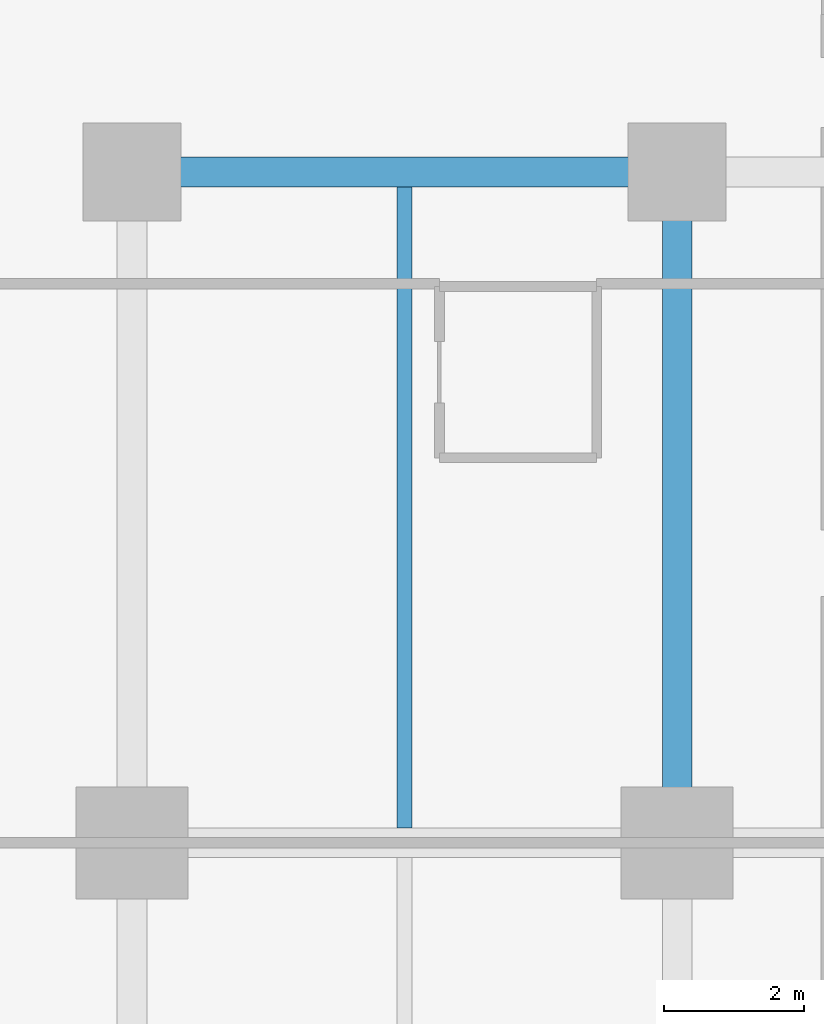
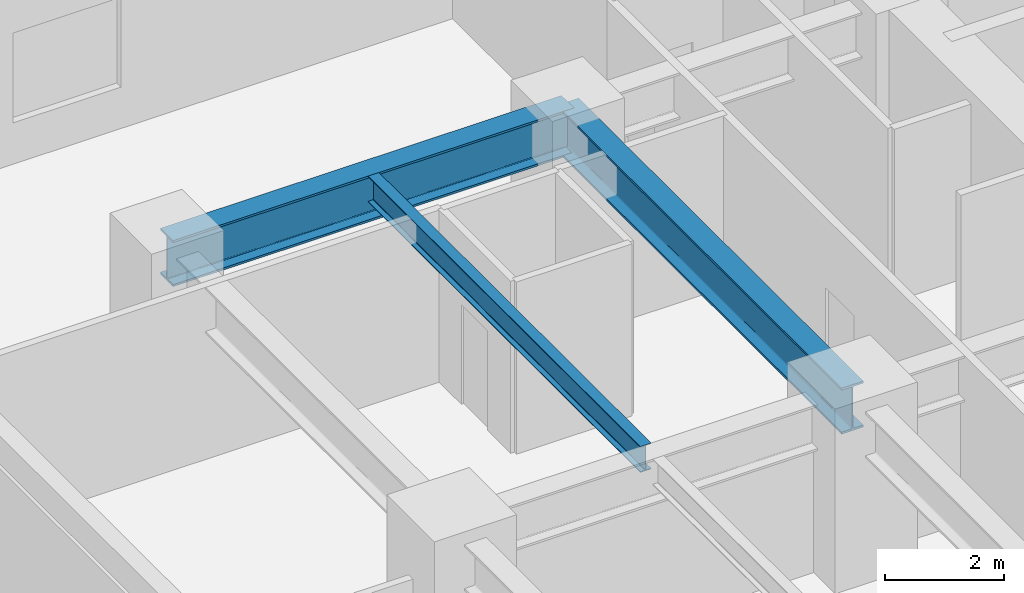
# One storey, part 2 of 12: 3 beams.
"""IFC4 building model written with IfcOpenShell, lengths in metres."""

import ifcopenshell
import ifcopenshell.guid

model = None  # the IFC model being written
_history = None  # IfcOwnerHistory: only IFC2X3 demands one
_inside = {}  # id of a spatial element -> (the spatial element, [elements in it])
_under = {}  # id of a project, library or spatial element -> (it, [spatial elements below it])
_declared = {}  # id of a project -> (the project, [libraries it declares])
_typed = {}  # id of a type object -> (the type object, [elements of that type])
_made_of = {}  # id of a material, layer set ... -> (it, [elements and type objects made of it])


def new_model(schema):
    """Start an empty IFC model of exactly this schema.

    Asked for "IFC4X3", IfcOpenShell would pick the latest addendum, in which some entities
    have other attributes; the version numbers below select the first issue.
    IFC2X3 requires an IfcOwnerHistory on every rooted entity: one is made here for all.
    """
    global model, _history
    if schema == "IFC4X3":
        model = ifcopenshell.file(schema_version=(4, 3, 0, 0))
    else:
        model = ifcopenshell.file(schema=schema)
    _inside.clear()
    _under.clear()
    _declared.clear()
    _typed.clear()
    _made_of.clear()
    _history = None
    if model.schema == "IFC2X3":
        org = make("IfcOrganization", Name="unknown")
        user = make(
            "IfcPersonAndOrganization",
            ThePerson=make("IfcPerson", FamilyName="unknown"),
            TheOrganization=org,
        )
        app = make(
            "IfcApplication",
            ApplicationDeveloper=org,
            Version="unknown",
            ApplicationFullName="unknown",
            ApplicationIdentifier="unknown",
        )
        _history = make(
            "IfcOwnerHistory",
            OwningUser=user,
            OwningApplication=app,
            ChangeAction="ADDED",
            CreationDate=0,
        )
    return model


def make(cls, **values):
    """One entity of the class cls with the attributes given. An attribute that is None is left unset."""
    return model.create_entity(
        cls, **{name: value for name, value in values.items() if value is not None}
    )


def rooted(cls, **values):
    """An entity with a GlobalId (a new one), such as an element, a storey or a relation."""
    return make(cls, GlobalId=ifcopenshell.guid.new(), OwnerHistory=_history, **values)


def si_unit(unit_type, name, prefix=None):
    """IfcSIUnit, for example si_unit("LENGTHUNIT", "METRE", prefix="MILLI")."""
    return make("IfcSIUnit", UnitType=unit_type, Prefix=prefix, Name=name)


def assignment(units):
    """IfcUnitAssignment: the units of a project."""
    return None if units is None else make("IfcUnitAssignment", Units=units)


def point(xyz):
    """IfcCartesianPoint."""
    return None if xyz is None else make("IfcCartesianPoint", Coordinates=xyz)


def direction(xyz):
    """IfcDirection."""
    return None if xyz is None else make("IfcDirection", DirectionRatios=xyz)


def frame(location, z_axis=None, x_axis=None):
    """IfcAxis2Placement3D, a coordinate frame: its origin and axes. An axis left out is left unset."""
    return make(
        "IfcAxis2Placement3D",
        Location=point(location),
        Axis=direction(z_axis),
        RefDirection=direction(x_axis),
    )


def frame_2d(location, x_axis=None):
    """IfcAxis2Placement2D, a coordinate frame in the plane: its origin and x axis."""
    return make(
        "IfcAxis2Placement2D", Location=point(location), RefDirection=direction(x_axis)
    )


def origin():
    """The frame at (0, 0, 0) with its axes left unset."""
    return frame((0.0, 0.0, 0.0))


def origin_2d():
    """The frame at (0, 0) in the plane with its x axis left unset."""
    return frame_2d((0.0, 0.0))


def place(relative_to, where):
    """IfcLocalPlacement: puts the frame where relative to a parent placement (None: the world)."""
    return make(
        "IfcLocalPlacement", PlacementRelTo=relative_to, RelativePlacement=where
    )


def context(
    kind, dimensions, precision=None, world=None, true_north=None, identifier=None
):
    """IfcGeometricRepresentationContext, for example the 3D "Model" context."""
    return make(
        "IfcGeometricRepresentationContext",
        ContextIdentifier=identifier,
        ContextType=kind,
        CoordinateSpaceDimension=dimensions,
        Precision=precision,
        WorldCoordinateSystem=world,
        TrueNorth=true_north,
    )


def subcontext(parent, identifier, kind, view, scale=None):
    """IfcGeometricRepresentationSubContext, for example "Body" below "Model"."""
    return make(
        "IfcGeometricRepresentationSubContext",
        ContextIdentifier=identifier,
        ContextType=kind,
        ParentContext=parent,
        TargetScale=scale,
        TargetView=view,
    )


def project(units=None, contexts=None):
    """IfcProject with its units and contexts."""
    return rooted(
        "IfcProject",
        Name="project",
        RepresentationContexts=contexts,
        UnitsInContext=assignment(units),
    )


def spatial(cls, under=None, at=None, **own):
    """A site, building, storey or space (cls), placed at a placement, below another one or the project."""
    s = rooted(cls, ObjectPlacement=at, **own)
    if under is not None:
        _under.setdefault(under.id(), (under, []))[1].append(s)
    return s


def profile(cls, at=None, kind="AREA", **sizes):
    """A parametric profile (cls). Its sizes go by their IFC names, for example OverallWidth=200.0."""
    return make(cls, ProfileType=kind, Position=at, **sizes)


def i_section(**sizes):
    """IfcIShapeProfileDef."""
    return profile("IfcIShapeProfileDef", **sizes)


def extrude(swept, where, along, depth):
    """IfcExtrudedAreaSolid: the profile swept, set in the frame where, extruded along a direction by depth."""
    return make(
        "IfcExtrudedAreaSolid",
        SweptArea=swept,
        Position=where,
        ExtrudedDirection=direction(along),
        Depth=depth,
    )


def shape(context_of_items, identifier, shape_type, items):
    """IfcShapeRepresentation: the items that make up one representation, for example the "Body"."""
    return make(
        "IfcShapeRepresentation",
        ContextOfItems=context_of_items,
        RepresentationIdentifier=identifier,
        RepresentationType=shape_type,
        Items=items,
    )


def material(Name=None, Category=None):
    """IfcMaterial."""
    return make("IfcMaterial", Name=Name, Category=Category)


def material_profile(
    of_material, cross_section, Name=None, Category=None, Priority=None
):
    """IfcMaterialProfile: a cross section and its material."""
    return make(
        "IfcMaterialProfile",
        Name=Name,
        Material=of_material,
        Profile=cross_section,
        Priority=Priority,
        Category=Category,
    )


def profile_set(profiles, Name=None, composite=None):
    """IfcMaterialProfileSet."""
    return make(
        "IfcMaterialProfileSet",
        Name=Name,
        MaterialProfiles=profiles,
        CompositeProfile=composite,
    )


def made_of(thing, what):
    """Note that an element or type object is made of a material, layer set ...; save() writes the relation."""
    if what is not None:
        _made_of.setdefault(what.id(), (what, []))[1].append(thing)
    return thing


def type_object(cls, material=None, **own):
    """A type object (cls), such as IfcWallType, which elements share."""
    return made_of(rooted(cls, **own), material)


def element(
    cls,
    number,
    at=None,
    inside=None,
    cuts=None,
    type_object=None,
    material=None,
    context=None,
    identifier="Body",
    shape_type=None,
    held_by="IfcProductDefinitionShape",
    body=None,
    shapes=None,
    **own,
):
    """One element of the class cls, such as IfcWall. Its Tag is "e" and its number.

    at: its placement. inside: the storey or other place that contains it. cuts: it is an
    opening in that element (IfcRelVoidsElement). A single representation is given by context,
    identifier, shape_type and body (its items); several are given by shapes. held_by: the class
    of the entity that holds the representations. save() writes the other relations.
    """
    e = rooted(cls, Tag="e%d" % number, ObjectPlacement=at, **own)
    if body is not None:
        shapes = [shape(context, identifier, shape_type, body)]
    if shapes is not None:
        e.Representation = make(held_by, Representations=shapes)
    if inside is not None:
        _inside.setdefault(inside.id(), (inside, []))[1].append(e)
    if cuts is not None:
        rooted(
            "IfcRelVoidsElement", RelatingBuildingElement=cuts, RelatedOpeningElement=e
        )
    if type_object is not None:
        _typed.setdefault(type_object.id(), (type_object, []))[1].append(e)
    return made_of(e, material)


def aggregate(whole, parts):
    """IfcRelAggregates: a whole, such as a stair, and the parts it consists of."""
    return rooted("IfcRelAggregates", RelatingObject=whole, RelatedObjects=parts)


def save(model, path):
    """Write the relations noted so far, then the file.

    IfcRelAggregates (storeys below a building ...), IfcRelContainedInSpatialStructure (elements
    in a storey), IfcRelDefinesByType, IfcRelAssociatesMaterial and IfcRelDeclares: one each for
    every whole, place, type object, material and project.
    """
    for whole, parts in _under.values():
        aggregate(whole, parts)
    for where, things in _inside.values():
        rooted(
            "IfcRelContainedInSpatialStructure",
            RelatedElements=things,
            RelatingStructure=where,
        )
    for kind, things in _typed.values():
        rooted("IfcRelDefinesByType", RelatedObjects=things, RelatingType=kind)
    for what, things in _made_of.values():
        rooted("IfcRelAssociatesMaterial", RelatedObjects=things, RelatingMaterial=what)
    for by, libraries in _declared.values():
        rooted("IfcRelDeclares", RelatingContext=by, RelatedDefinitions=libraries)
    model.write(path)


model = new_model("IFC4")

# Units and contexts
model_context = context("Model", 3, precision=1e-05, world=origin(), true_north=direction((0.0, 1.0)))
body_context = subcontext(model_context, "Body", "Model", "MODEL_VIEW")
ifc_project = project(units=[si_unit("LENGTHUNIT", "METRE"), si_unit("AREAUNIT", "SQUARE_METRE"), si_unit("VOLUMEUNIT", "CUBIC_METRE"), si_unit("PLANEANGLEUNIT", "RADIAN"), si_unit("MASSUNIT", "GRAM", prefix="KILO")], contexts=[model_context])

# Site, building, storey
site_placement = place(None, origin())
site = spatial("IfcSite", under=ifc_project, at=site_placement, CompositionType="ELEMENT")
building_placement = place(site_placement, origin())
building = spatial("IfcBuilding", under=site, at=building_placement, Name="Kestravale Grand Hotel", CompositionType="ELEMENT")
storey_placement = place(building_placement, frame((0.0, 0.0, 64.0)))
storey = spatial("IfcBuildingStorey", under=building, at=storey_placement, Name="L15", CompositionType="ELEMENT", Elevation=64.0)

# Beams
ifc_material_1 = material(Name="Steel ASTM A992 Grade 50", Category="steel")
ifc_material_profile_1 = material_profile(ifc_material_1, i_section(OverallWidth=0.2099609375, OverallDepth=0.535888671875, WebThickness=0.010986328125, FlangeThickness=0.017333984375, FilletRadius=0.017578125, at=origin_2d()))
ifc_profile_set_1 = profile_set([ifc_material_profile_1], Name="Steel ASTM A992 Grade 50")
beam_type_1 = type_object("IfcBeamType", Name="B-FLR-JST21", PredefinedType="JOIST", material=ifc_profile_set_1)
beam_1_placement = place(storey_placement, frame((11.699951171875, 29.011962890625, 3.27197265625), z_axis=(0.0, 1.0, 0.0), x_axis=(-1.0, 0.0, 0.0)))
element("IfcBeam", 1, at=beam_1_placement, inside=storey, type_object=beam_type_1, Name="L15 floor joist 2-3/E-F #1", PredefinedType="JOIST", context=body_context, shape_type="SweptSolid", body=[
    extrude(i_section(OverallWidth=0.2099609375, OverallDepth=0.535888671875, WebThickness=0.010986328125, FlangeThickness=0.017333984375, FilletRadius=0.017578125, at=origin_2d()), origin(), (0.0, 0.0, 1.0), 9.176025390625),
])
ifc_material_2 = material(Name="Steel ASTM A992 Grade 50", Category="steel")
ifc_material_profile_2 = material_profile(ifc_material_2, i_section(OverallWidth=0.424072265625, OverallDepth=0.947021484375, WebThickness=0.02392578125, FlangeThickness=0.042724609375, FilletRadius=0.0283203125, at=origin_2d()))
ifc_profile_set_2 = profile_set([ifc_material_profile_2], Name="Steel ASTM A992 Grade 50")
beam_type_2 = type_object("IfcBeamType", Name="B-GRD-W36", PredefinedType="BEAM", material=ifc_profile_set_2)
beam_2_placement = place(storey_placement, frame((7.800048828125, 38.39990234375, 3.06640625), z_axis=(1.0, 0.0, 0.0), x_axis=(0.0, 1.0, 0.0)))
element("IfcBeam", 2, at=beam_2_placement, inside=storey, type_object=beam_type_2, Name="L15 girder F:2-3", PredefinedType="BEAM", context=body_context, shape_type="SweptSolid", body=[
    extrude(i_section(OverallWidth=0.424072265625, OverallDepth=0.947021484375, WebThickness=0.02392578125, FlangeThickness=0.042724609375, FilletRadius=0.0283203125, at=origin_2d()), origin(), (0.0, 0.0, 1.0), 7.800048828125),
])
beam_3_placement = place(storey_placement, frame((15.60009765625, 28.800048828125, 3.06640625), z_axis=(0.0, 1.0, 0.0), x_axis=(-1.0, 0.0, 0.0)))
element("IfcBeam", 3, at=beam_3_placement, inside=storey, type_object=beam_type_2, Name="L15 girder 3:E-F", PredefinedType="BEAM", context=body_context, shape_type="SweptSolid", body=[
    extrude(i_section(OverallWidth=0.424072265625, OverallDepth=0.947021484375, WebThickness=0.02392578125, FlangeThickness=0.042724609375, FilletRadius=0.0283203125, at=origin_2d()), origin(), (0.0, 0.0, 1.0), 9.599853515625),
])

save(model, "model.ifc")
